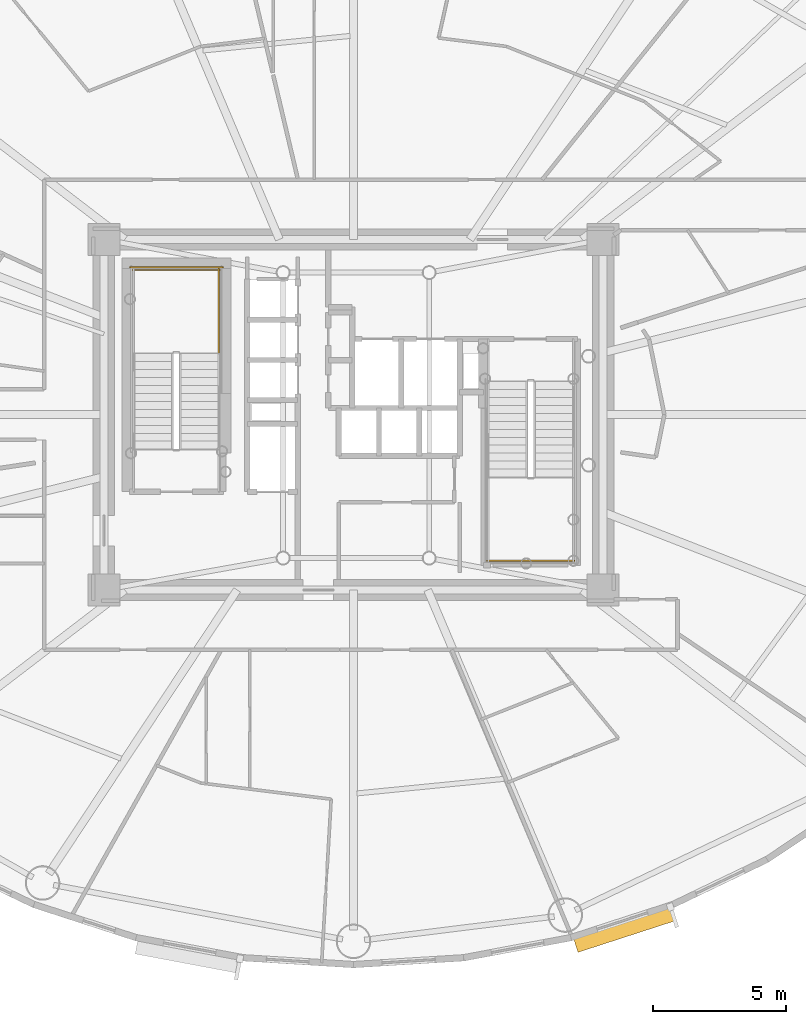
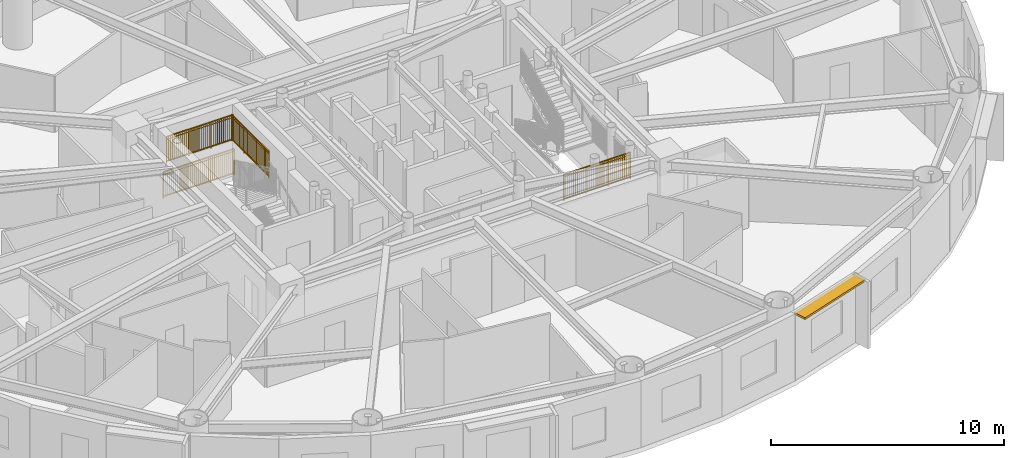
# One storey, part 15 of 18: 4 railings, 1 shading device.
"""IFC4 building model written with IfcOpenShell, lengths in metres."""

from ifc_helpers import new_model, si_unit, direction, frame, origin, origin_2d, place, context, subcontext, project, spatial, rectangle, extrude, source, transform, mapped, material, layer, layer_set, type_object, element, save


model = new_model("IFC4")

# Units and contexts
model_context = context("Model", 3, precision=1e-05, world=origin(), true_north=direction((0.0, 1.0)))
body_context = subcontext(model_context, "Body", "Model", "MODEL_VIEW")
ifc_project = project(units=[si_unit("LENGTHUNIT", "METRE"), si_unit("AREAUNIT", "SQUARE_METRE"), si_unit("VOLUMEUNIT", "CUBIC_METRE"), si_unit("PLANEANGLEUNIT", "RADIAN"), si_unit("MASSUNIT", "GRAM", prefix="KILO")], contexts=[model_context])

# Site, building, storey
site_placement = place(None, origin())
site = spatial("IfcSite", under=ifc_project, at=site_placement, CompositionType="ELEMENT")
building_placement = place(site_placement, origin())
building = spatial("IfcBuilding", under=site, at=building_placement, Name="Linh Dai School and Residence Tower", CompositionType="ELEMENT")
storey_placement = place(building_placement, frame((0.0, 0.0, 159.89990234375)))
storey = spatial("IfcBuildingStorey", under=building, at=storey_placement, Name="L38", CompositionType="ELEMENT", Elevation=159.89990234375)

# Shading device
ifc_material_1 = material(Name="Terracotta Ceramic Sunshade", Category="masonry")
ifc_layer = layer(ifc_material_1, 0.10009765625)
ifc_layer_set = layer_set([ifc_layer], Name="Terracotta Ceramic Sunshade")
shading_device_type = type_object("IfcShadingDeviceType", Name="SHD-TC-650", PredefinedType="USERDEFINED", material=ifc_layer_set)
shared_shape_1 = source(origin(), body_context, "Body", "SweptSolid", [
    extrude(rectangle(XDim=3.876220703125, YDim=0.64990234375, at=origin_2d()), origin(), (0.0, 0.0, 1.0), 0.10009765625),
])
shading_device_placement = place(storey_placement, frame((46.197265625, 7.662353515625, 3.380126953125), z_axis=(0.0, 0.0, 1.0), x_axis=(-0.951212761419, -0.308535707031, 0.0)))
element("IfcShadingDevice", 1, at=shading_device_placement, inside=storey, type_object=shading_device_type, Name="L38 Terracotta Horizontal Sunshade Band 33", ObjectType="SUNSHADE", PredefinedType="USERDEFINED", context=body_context, shape_type="MappedRepresentation", body=[
    mapped(shared_shape_1, transform((0.0, 0.0, 0.0), x_axis=(1.0, 0.0, 0.0), y_axis=(0.0, 1.0, 0.0), z_axis=(0.0, 0.0, 1.0), scale=1.0)),
])

# Railings
ifc_material_2 = material(Name="Structural Steel S355JR", Category="steel")
railing_type = type_object("IfcRailingType", Name="RL-ST-GUARD-1400", PredefinedType="GUARDRAIL", material=ifc_material_2)
shared_shape_2 = source(origin(), body_context, "Body", "SweptSolid", [
    extrude(rectangle(XDim=0.048095703125, YDim=0.048095703125, at=origin_2d()), frame((0.0, 0.0, 1.3759765625), z_axis=(-1.0, 0.0, 0.0), x_axis=(0.0, -1.0, 0.0)), (0.0, 0.0, 1.0), 3.300048828125),
    extrude(rectangle(XDim=0.048095703125, YDim=0.048095703125, at=origin_2d()), frame((0.0, 0.0, 0.10009765625), z_axis=(-1.0, 0.0, 0.0), x_axis=(0.0, -1.0, 0.0)), (0.0, 0.0, 1.0), 3.300048828125),
    extrude(rectangle(XDim=0.030029296875, YDim=0.030029296875, at=origin_2d()), frame((0.0, 0.0, 1.239990234375), z_axis=(-1.0, 0.0, 0.0), x_axis=(0.0, -1.0, 0.0)), (0.0, 0.0, 1.0), 3.300048828125),
    extrude(rectangle(XDim=0.02001953125, YDim=0.02001953125, at=origin_2d()), frame((-0.09716796875, 0.0, 0.10009765625)), (0.0, 0.0, 1.0), 1.251708984375),
    extrude(rectangle(XDim=0.02001953125, YDim=0.02001953125, at=origin_2d()), frame((-0.194091796875, 0.0, 0.10009765625)), (0.0, 0.0, 1.0), 1.251708984375),
    extrude(rectangle(XDim=0.02001953125, YDim=0.02001953125, at=origin_2d()), frame((-0.291259765625, 0.0, 0.10009765625)), (0.0, 0.0, 1.0), 1.251708984375),
    extrude(rectangle(XDim=0.02001953125, YDim=0.02001953125, at=origin_2d()), frame((-0.38818359375, 0.0, 0.10009765625)), (0.0, 0.0, 1.0), 1.251708984375),
    extrude(rectangle(XDim=0.02001953125, YDim=0.02001953125, at=origin_2d()), frame((-0.4853515625, 0.0, 0.10009765625)), (0.0, 0.0, 1.0), 1.251708984375),
    extrude(rectangle(XDim=0.02001953125, YDim=0.02001953125, at=origin_2d()), frame((-0.582275390625, 0.0, 0.10009765625)), (0.0, 0.0, 1.0), 1.251708984375),
    extrude(rectangle(XDim=0.02001953125, YDim=0.02001953125, at=origin_2d()), frame((-0.679443359375, 0.0, 0.10009765625)), (0.0, 0.0, 1.0), 1.251708984375),
    extrude(rectangle(XDim=0.02001953125, YDim=0.02001953125, at=origin_2d()), frame((-0.7763671875, 0.0, 0.10009765625)), (0.0, 0.0, 1.0), 1.251708984375),
    extrude(rectangle(XDim=0.02001953125, YDim=0.02001953125, at=origin_2d()), frame((-0.87353515625, 0.0, 0.10009765625)), (0.0, 0.0, 1.0), 1.251708984375),
    extrude(rectangle(XDim=0.02001953125, YDim=0.02001953125, at=origin_2d()), frame((-0.970703125, 0.0, 0.10009765625)), (0.0, 0.0, 1.0), 1.251708984375),
    extrude(rectangle(XDim=0.02001953125, YDim=0.02001953125, at=origin_2d()), frame((-1.164794921875, 0.0, 0.10009765625)), (0.0, 0.0, 1.0), 1.251708984375),
    extrude(rectangle(XDim=0.02001953125, YDim=0.02001953125, at=origin_2d()), frame((-1.26171875, 0.0, 0.10009765625)), (0.0, 0.0, 1.0), 1.251708984375),
    extrude(rectangle(XDim=0.02001953125, YDim=0.02001953125, at=origin_2d()), frame((-1.35888671875, 0.0, 0.10009765625)), (0.0, 0.0, 1.0), 1.251708984375),
    extrude(rectangle(XDim=0.02001953125, YDim=0.02001953125, at=origin_2d()), frame((-1.455810546875, 0.0, 0.10009765625)), (0.0, 0.0, 1.0), 1.251708984375),
    extrude(rectangle(XDim=0.02001953125, YDim=0.02001953125, at=origin_2d()), frame((-1.552978515625, 0.0, 0.10009765625)), (0.0, 0.0, 1.0), 1.251708984375),
    extrude(rectangle(XDim=0.02001953125, YDim=0.02001953125, at=origin_2d()), frame((-1.64990234375, 0.0, 0.10009765625)), (0.0, 0.0, 1.0), 1.251708984375),
    extrude(rectangle(XDim=0.02001953125, YDim=0.02001953125, at=origin_2d()), frame((-1.7470703125, 0.0, 0.10009765625)), (0.0, 0.0, 1.0), 1.251708984375),
    extrude(rectangle(XDim=0.02001953125, YDim=0.02001953125, at=origin_2d()), frame((-1.84423828125, 0.0, 0.10009765625)), (0.0, 0.0, 1.0), 1.251708984375),
    extrude(rectangle(XDim=0.02001953125, YDim=0.02001953125, at=origin_2d()), frame((-1.941162109375, 0.0, 0.10009765625)), (0.0, 0.0, 1.0), 1.251708984375),
    extrude(rectangle(XDim=0.02001953125, YDim=0.02001953125, at=origin_2d()), frame((-2.038330078125, 0.0, 0.10009765625)), (0.0, 0.0, 1.0), 1.251708984375),
    extrude(rectangle(XDim=0.02001953125, YDim=0.02001953125, at=origin_2d()), frame((-2.13525390625, 0.0, 0.10009765625)), (0.0, 0.0, 1.0), 1.251708984375),
    extrude(rectangle(XDim=0.02001953125, YDim=0.02001953125, at=origin_2d()), frame((-2.329345703125, 0.0, 0.10009765625)), (0.0, 0.0, 1.0), 1.251708984375),
    extrude(rectangle(XDim=0.02001953125, YDim=0.02001953125, at=origin_2d()), frame((-2.426513671875, 0.0, 0.10009765625)), (0.0, 0.0, 1.0), 1.251708984375),
    extrude(rectangle(XDim=0.02001953125, YDim=0.02001953125, at=origin_2d()), frame((-2.523681640625, 0.0, 0.10009765625)), (0.0, 0.0, 1.0), 1.251708984375),
    extrude(rectangle(XDim=0.02001953125, YDim=0.02001953125, at=origin_2d()), frame((-2.62060546875, 0.0, 0.10009765625)), (0.0, 0.0, 1.0), 1.251708984375),
    extrude(rectangle(XDim=0.02001953125, YDim=0.02001953125, at=origin_2d()), frame((-2.7177734375, 0.0, 0.10009765625)), (0.0, 0.0, 1.0), 1.251708984375),
    extrude(rectangle(XDim=0.02001953125, YDim=0.02001953125, at=origin_2d()), frame((-2.814697265625, 0.0, 0.10009765625)), (0.0, 0.0, 1.0), 1.251708984375),
    extrude(rectangle(XDim=0.02001953125, YDim=0.02001953125, at=origin_2d()), frame((-2.911865234375, 0.0, 0.10009765625)), (0.0, 0.0, 1.0), 1.251708984375),
    extrude(rectangle(XDim=0.02001953125, YDim=0.02001953125, at=origin_2d()), frame((-3.0087890625, 0.0, 0.10009765625)), (0.0, 0.0, 1.0), 1.251708984375),
    extrude(rectangle(XDim=0.02001953125, YDim=0.02001953125, at=origin_2d()), frame((-3.10595703125, 0.0, 0.10009765625)), (0.0, 0.0, 1.0), 1.251708984375),
    extrude(rectangle(XDim=0.02001953125, YDim=0.02001953125, at=origin_2d()), frame((-3.202880859375, 0.0, 0.10009765625)), (0.0, 0.0, 1.0), 1.251708984375),
    extrude(rectangle(XDim=0.0419921875, YDim=0.0419921875, at=origin_2d()), origin(), (0.0, 0.0, 1.0), 1.3759765625),
    extrude(rectangle(XDim=0.0419921875, YDim=0.0419921875, at=origin_2d()), frame((-1.10009765625, 0.0, 0.0)), (0.0, 0.0, 1.0), 1.3759765625),
    extrude(rectangle(XDim=0.0419921875, YDim=0.0419921875, at=origin_2d()), frame((-2.199951171875, 0.0, 0.0)), (0.0, 0.0, 1.0), 1.3759765625),
    extrude(rectangle(XDim=0.0419921875, YDim=0.0419921875, at=origin_2d()), frame((-3.300048828125, 0.0, 0.0)), (0.0, 0.0, 1.0), 1.3759765625),
])
railing_1_placement = place(storey_placement, frame((30.97998046875, 32.449951171875, 1.875)))
element("IfcRailing", 2, at=railing_1_placement, inside=storey, type_object=railing_type, Name="L38 ST1 stair guard 5", PredefinedType="GUARDRAIL", context=body_context, shape_type="MappedRepresentation", body=[
    mapped(shared_shape_2, transform((0.0, 0.0, 0.0), x_axis=(1.0, 0.0, 0.0), y_axis=(0.0, 1.0, 0.0), z_axis=(0.0, 0.0, 1.0), scale=1.0)),
])
shared_shape_3 = source(origin(), body_context, "Body", "SweptSolid", [
    extrude(rectangle(XDim=0.048095703125, YDim=0.048095703125, at=origin_2d()), frame((0.0, 0.0, 1.3759765625), z_axis=(-1.0, 0.0, 0.0), x_axis=(0.0, -1.0, 0.0)), (0.0, 0.0, 1.0), 3.5),
    extrude(rectangle(XDim=0.048095703125, YDim=0.048095703125, at=origin_2d()), frame((0.0, 0.0, 0.10009765625), z_axis=(-1.0, 0.0, 0.0), x_axis=(0.0, -1.0, 0.0)), (0.0, 0.0, 1.0), 3.5),
    extrude(rectangle(XDim=0.030029296875, YDim=0.030029296875, at=origin_2d()), frame((0.0, 0.0, 1.239990234375), z_axis=(-1.0, 0.0, 0.0), x_axis=(0.0, -1.0, 0.0)), (0.0, 0.0, 1.0), 3.5),
    extrude(rectangle(XDim=0.02001953125, YDim=0.02001953125, at=origin_2d()), frame((-0.09716796875, 0.0, 0.10009765625)), (0.0, 0.0, 1.0), 1.251708984375),
    extrude(rectangle(XDim=0.02001953125, YDim=0.02001953125, at=origin_2d()), frame((-0.1943359375, 0.0, 0.10009765625)), (0.0, 0.0, 1.0), 1.251708984375),
    extrude(rectangle(XDim=0.02001953125, YDim=0.02001953125, at=origin_2d()), frame((-0.291748046875, 0.0, 0.10009765625)), (0.0, 0.0, 1.0), 1.251708984375),
    extrude(rectangle(XDim=0.02001953125, YDim=0.02001953125, at=origin_2d()), frame((-0.388916015625, 0.0, 0.10009765625)), (0.0, 0.0, 1.0), 1.251708984375),
    extrude(rectangle(XDim=0.02001953125, YDim=0.02001953125, at=origin_2d()), frame((-0.486083984375, 0.0, 0.10009765625)), (0.0, 0.0, 1.0), 1.251708984375),
    extrude(rectangle(XDim=0.02001953125, YDim=0.02001953125, at=origin_2d()), frame((-0.583251953125, 0.0, 0.10009765625)), (0.0, 0.0, 1.0), 1.251708984375),
    extrude(rectangle(XDim=0.02001953125, YDim=0.02001953125, at=origin_2d()), frame((-0.6806640625, 0.0, 0.10009765625)), (0.0, 0.0, 1.0), 1.251708984375),
    extrude(rectangle(XDim=0.02001953125, YDim=0.02001953125, at=origin_2d()), frame((-0.77783203125, 0.0, 0.10009765625)), (0.0, 0.0, 1.0), 1.251708984375),
    extrude(rectangle(XDim=0.02001953125, YDim=0.02001953125, at=origin_2d()), frame((-0.875, 0.0, 0.10009765625)), (0.0, 0.0, 1.0), 1.251708984375),
    extrude(rectangle(XDim=0.02001953125, YDim=0.02001953125, at=origin_2d()), frame((-0.97216796875, 0.0, 0.10009765625)), (0.0, 0.0, 1.0), 1.251708984375),
    extrude(rectangle(XDim=0.02001953125, YDim=0.02001953125, at=origin_2d()), frame((-1.0693359375, 0.0, 0.10009765625)), (0.0, 0.0, 1.0), 1.251708984375),
    extrude(rectangle(XDim=0.02001953125, YDim=0.02001953125, at=origin_2d()), frame((-1.263916015625, 0.0, 0.10009765625)), (0.0, 0.0, 1.0), 1.251708984375),
    extrude(rectangle(XDim=0.02001953125, YDim=0.02001953125, at=origin_2d()), frame((-1.361083984375, 0.0, 0.10009765625)), (0.0, 0.0, 1.0), 1.251708984375),
    extrude(rectangle(XDim=0.02001953125, YDim=0.02001953125, at=origin_2d()), frame((-1.458251953125, 0.0, 0.10009765625)), (0.0, 0.0, 1.0), 1.251708984375),
    extrude(rectangle(XDim=0.02001953125, YDim=0.02001953125, at=origin_2d()), frame((-1.5556640625, 0.0, 0.10009765625)), (0.0, 0.0, 1.0), 1.251708984375),
    extrude(rectangle(XDim=0.02001953125, YDim=0.02001953125, at=origin_2d()), frame((-1.65283203125, 0.0, 0.10009765625)), (0.0, 0.0, 1.0), 1.251708984375),
    extrude(rectangle(XDim=0.02001953125, YDim=0.02001953125, at=origin_2d()), frame((-1.75, 0.0, 0.10009765625)), (0.0, 0.0, 1.0), 1.251708984375),
    extrude(rectangle(XDim=0.02001953125, YDim=0.02001953125, at=origin_2d()), frame((-1.84716796875, 0.0, 0.10009765625)), (0.0, 0.0, 1.0), 1.251708984375),
    extrude(rectangle(XDim=0.02001953125, YDim=0.02001953125, at=origin_2d()), frame((-1.9443359375, 0.0, 0.10009765625)), (0.0, 0.0, 1.0), 1.251708984375),
    extrude(rectangle(XDim=0.02001953125, YDim=0.02001953125, at=origin_2d()), frame((-2.041748046875, 0.0, 0.10009765625)), (0.0, 0.0, 1.0), 1.251708984375),
    extrude(rectangle(XDim=0.02001953125, YDim=0.02001953125, at=origin_2d()), frame((-2.138916015625, 0.0, 0.10009765625)), (0.0, 0.0, 1.0), 1.251708984375),
    extrude(rectangle(XDim=0.02001953125, YDim=0.02001953125, at=origin_2d()), frame((-2.236083984375, 0.0, 0.10009765625)), (0.0, 0.0, 1.0), 1.251708984375),
    extrude(rectangle(XDim=0.02001953125, YDim=0.02001953125, at=origin_2d()), frame((-2.4306640625, 0.0, 0.10009765625)), (0.0, 0.0, 1.0), 1.251708984375),
    extrude(rectangle(XDim=0.02001953125, YDim=0.02001953125, at=origin_2d()), frame((-2.52783203125, 0.0, 0.10009765625)), (0.0, 0.0, 1.0), 1.251708984375),
    extrude(rectangle(XDim=0.02001953125, YDim=0.02001953125, at=origin_2d()), frame((-2.625, 0.0, 0.10009765625)), (0.0, 0.0, 1.0), 1.251708984375),
    extrude(rectangle(XDim=0.02001953125, YDim=0.02001953125, at=origin_2d()), frame((-2.72216796875, 0.0, 0.10009765625)), (0.0, 0.0, 1.0), 1.251708984375),
    extrude(rectangle(XDim=0.02001953125, YDim=0.02001953125, at=origin_2d()), frame((-2.8193359375, 0.0, 0.10009765625)), (0.0, 0.0, 1.0), 1.251708984375),
    extrude(rectangle(XDim=0.02001953125, YDim=0.02001953125, at=origin_2d()), frame((-2.916748046875, 0.0, 0.10009765625)), (0.0, 0.0, 1.0), 1.251708984375),
    extrude(rectangle(XDim=0.02001953125, YDim=0.02001953125, at=origin_2d()), frame((-3.013916015625, 0.0, 0.10009765625)), (0.0, 0.0, 1.0), 1.251708984375),
    extrude(rectangle(XDim=0.02001953125, YDim=0.02001953125, at=origin_2d()), frame((-3.111083984375, 0.0, 0.10009765625)), (0.0, 0.0, 1.0), 1.251708984375),
    extrude(rectangle(XDim=0.02001953125, YDim=0.02001953125, at=origin_2d()), frame((-3.208251953125, 0.0, 0.10009765625)), (0.0, 0.0, 1.0), 1.251708984375),
    extrude(rectangle(XDim=0.02001953125, YDim=0.02001953125, at=origin_2d()), frame((-3.3056640625, 0.0, 0.10009765625)), (0.0, 0.0, 1.0), 1.251708984375),
    extrude(rectangle(XDim=0.02001953125, YDim=0.02001953125, at=origin_2d()), frame((-3.40283203125, 0.0, 0.10009765625)), (0.0, 0.0, 1.0), 1.251708984375),
    extrude(rectangle(XDim=0.0419921875, YDim=0.0419921875, at=origin_2d()), origin(), (0.0, 0.0, 1.0), 1.3759765625),
    extrude(rectangle(XDim=0.0419921875, YDim=0.0419921875, at=origin_2d()), frame((-1.166748046875, 0.0, 0.0)), (0.0, 0.0, 1.0), 1.3759765625),
    extrude(rectangle(XDim=0.0419921875, YDim=0.0419921875, at=origin_2d()), frame((-2.333251953125, 0.0, 0.0)), (0.0, 0.0, 1.0), 1.3759765625),
    extrude(rectangle(XDim=0.0419921875, YDim=0.0419921875, at=origin_2d()), frame((-3.5, 0.0, 0.0)), (0.0, 0.0, 1.0), 1.3759765625),
])
railing_2_placement = place(storey_placement, frame((31.080078125, 32.550048828125, 0.0)))
element("IfcRailing", 3, at=railing_2_placement, inside=storey, type_object=railing_type, Name="L38 ST1 stair guard 12", PredefinedType="GUARDRAIL", context=body_context, shape_type="MappedRepresentation", body=[
    mapped(shared_shape_3, transform((0.0, 0.0, 0.0), x_axis=(1.0, 0.0, 0.0), y_axis=(0.0, 1.0, 0.0), z_axis=(0.0, 0.0, 1.0), scale=1.0)),
])
shared_shape_4 = source(origin(), body_context, "Body", "SweptSolid", [
    extrude(rectangle(XDim=0.048095703125, YDim=0.048095703125, at=origin_2d()), frame((0.0, 0.0, 1.3759765625), z_axis=(0.0, 1.0, 0.0), x_axis=(-1.0, 0.0, 0.0)), (0.0, 0.0, 1.0), 3.199951171875),
    extrude(rectangle(XDim=0.048095703125, YDim=0.048095703125, at=origin_2d()), frame((0.0, 0.0, 0.10009765625), z_axis=(0.0, 1.0, 0.0), x_axis=(-1.0, 0.0, 0.0)), (0.0, 0.0, 1.0), 3.199951171875),
    extrude(rectangle(XDim=0.030029296875, YDim=0.030029296875, at=origin_2d()), frame((0.0, 0.0, 1.239990234375), z_axis=(0.0, 1.0, 0.0), x_axis=(-1.0, 0.0, 0.0)), (0.0, 0.0, 1.0), 3.199951171875),
    extrude(rectangle(XDim=0.02001953125, YDim=0.02001953125, at=origin_2d()), frame((0.0, 0.096923828125, 0.10009765625)), (0.0, 0.0, 1.0), 1.251708984375),
    extrude(rectangle(XDim=0.02001953125, YDim=0.02001953125, at=origin_2d()), frame((0.0, 0.19384765625, 0.10009765625)), (0.0, 0.0, 1.0), 1.251708984375),
    extrude(rectangle(XDim=0.02001953125, YDim=0.02001953125, at=origin_2d()), frame((0.0, 0.291015625, 0.10009765625)), (0.0, 0.0, 1.0), 1.251708984375),
    extrude(rectangle(XDim=0.02001953125, YDim=0.02001953125, at=origin_2d()), frame((0.0, 0.387939453125, 0.10009765625)), (0.0, 0.0, 1.0), 1.251708984375),
    extrude(rectangle(XDim=0.02001953125, YDim=0.02001953125, at=origin_2d()), frame((0.0, 0.48486328125, 0.10009765625)), (0.0, 0.0, 1.0), 1.251708984375),
    extrude(rectangle(XDim=0.02001953125, YDim=0.02001953125, at=origin_2d()), frame((0.0, 0.581787109375, 0.10009765625)), (0.0, 0.0, 1.0), 1.251708984375),
    extrude(rectangle(XDim=0.02001953125, YDim=0.02001953125, at=origin_2d()), frame((0.0, 0.6787109375, 0.10009765625)), (0.0, 0.0, 1.0), 1.251708984375),
    extrude(rectangle(XDim=0.02001953125, YDim=0.02001953125, at=origin_2d()), frame((0.0, 0.775634765625, 0.10009765625)), (0.0, 0.0, 1.0), 1.251708984375),
    extrude(rectangle(XDim=0.02001953125, YDim=0.02001953125, at=origin_2d()), frame((0.0, 0.872802734375, 0.10009765625)), (0.0, 0.0, 1.0), 1.251708984375),
    extrude(rectangle(XDim=0.02001953125, YDim=0.02001953125, at=origin_2d()), frame((0.0, 0.9697265625, 0.10009765625)), (0.0, 0.0, 1.0), 1.251708984375),
    extrude(rectangle(XDim=0.02001953125, YDim=0.02001953125, at=origin_2d()), frame((0.0, 1.16357421875, 0.10009765625)), (0.0, 0.0, 1.0), 1.251708984375),
    extrude(rectangle(XDim=0.02001953125, YDim=0.02001953125, at=origin_2d()), frame((0.0, 1.260498046875, 0.10009765625)), (0.0, 0.0, 1.0), 1.251708984375),
    extrude(rectangle(XDim=0.02001953125, YDim=0.02001953125, at=origin_2d()), frame((0.0, 1.357666015625, 0.10009765625)), (0.0, 0.0, 1.0), 1.251708984375),
    extrude(rectangle(XDim=0.02001953125, YDim=0.02001953125, at=origin_2d()), frame((0.0, 1.45458984375, 0.10009765625)), (0.0, 0.0, 1.0), 1.251708984375),
    extrude(rectangle(XDim=0.02001953125, YDim=0.02001953125, at=origin_2d()), frame((0.0, 1.551513671875, 0.10009765625)), (0.0, 0.0, 1.0), 1.251708984375),
    extrude(rectangle(XDim=0.02001953125, YDim=0.02001953125, at=origin_2d()), frame((0.0, 1.6484375, 0.10009765625)), (0.0, 0.0, 1.0), 1.251708984375),
    extrude(rectangle(XDim=0.02001953125, YDim=0.02001953125, at=origin_2d()), frame((0.0, 1.745361328125, 0.10009765625)), (0.0, 0.0, 1.0), 1.251708984375),
    extrude(rectangle(XDim=0.02001953125, YDim=0.02001953125, at=origin_2d()), frame((0.0, 1.84228515625, 0.10009765625)), (0.0, 0.0, 1.0), 1.251708984375),
    extrude(rectangle(XDim=0.02001953125, YDim=0.02001953125, at=origin_2d()), frame((0.0, 1.939453125, 0.10009765625)), (0.0, 0.0, 1.0), 1.251708984375),
    extrude(rectangle(XDim=0.02001953125, YDim=0.02001953125, at=origin_2d()), frame((0.0, 2.036376953125, 0.10009765625)), (0.0, 0.0, 1.0), 1.251708984375),
    extrude(rectangle(XDim=0.02001953125, YDim=0.02001953125, at=origin_2d()), frame((0.0, 2.230224609375, 0.10009765625)), (0.0, 0.0, 1.0), 1.251708984375),
    extrude(rectangle(XDim=0.02001953125, YDim=0.02001953125, at=origin_2d()), frame((0.0, 2.3271484375, 0.10009765625)), (0.0, 0.0, 1.0), 1.251708984375),
    extrude(rectangle(XDim=0.02001953125, YDim=0.02001953125, at=origin_2d()), frame((0.0, 2.42431640625, 0.10009765625)), (0.0, 0.0, 1.0), 1.251708984375),
    extrude(rectangle(XDim=0.02001953125, YDim=0.02001953125, at=origin_2d()), frame((0.0, 2.521240234375, 0.10009765625)), (0.0, 0.0, 1.0), 1.251708984375),
    extrude(rectangle(XDim=0.02001953125, YDim=0.02001953125, at=origin_2d()), frame((0.0, 2.6181640625, 0.10009765625)), (0.0, 0.0, 1.0), 1.251708984375),
    extrude(rectangle(XDim=0.02001953125, YDim=0.02001953125, at=origin_2d()), frame((0.0, 2.715087890625, 0.10009765625)), (0.0, 0.0, 1.0), 1.251708984375),
    extrude(rectangle(XDim=0.02001953125, YDim=0.02001953125, at=origin_2d()), frame((0.0, 2.81201171875, 0.10009765625)), (0.0, 0.0, 1.0), 1.251708984375),
    extrude(rectangle(XDim=0.02001953125, YDim=0.02001953125, at=origin_2d()), frame((0.0, 2.908935546875, 0.10009765625)), (0.0, 0.0, 1.0), 1.251708984375),
    extrude(rectangle(XDim=0.02001953125, YDim=0.02001953125, at=origin_2d()), frame((0.0, 3.006103515625, 0.10009765625)), (0.0, 0.0, 1.0), 1.251708984375),
    extrude(rectangle(XDim=0.02001953125, YDim=0.02001953125, at=origin_2d()), frame((0.0, 3.10302734375, 0.10009765625)), (0.0, 0.0, 1.0), 1.251708984375),
    extrude(rectangle(XDim=0.0419921875, YDim=0.0419921875, at=origin_2d()), origin(), (0.0, 0.0, 1.0), 1.3759765625),
    extrude(rectangle(XDim=0.0419921875, YDim=0.0419921875, at=origin_2d()), frame((0.0, 1.066650390625, 0.0)), (0.0, 0.0, 1.0), 1.3759765625),
    extrude(rectangle(XDim=0.0419921875, YDim=0.0419921875, at=origin_2d()), frame((0.0, 2.13330078125, 0.0)), (0.0, 0.0, 1.0), 1.3759765625),
    extrude(rectangle(XDim=0.0419921875, YDim=0.0419921875, at=origin_2d()), frame((0.0, 3.199951171875, 0.0)), (0.0, 0.0, 1.0), 1.3759765625),
])
railing_3_placement = place(storey_placement, frame((30.929931640625, 29.300048828125, 1.875)))
element("IfcRailing", 4, at=railing_3_placement, inside=storey, type_object=railing_type, Name="L38 ST1 stair guard 3", PredefinedType="GUARDRAIL", context=body_context, shape_type="MappedRepresentation", body=[
    mapped(shared_shape_4, transform((0.0, 0.0, 0.0), x_axis=(1.0, 0.0, 0.0), y_axis=(0.0, 1.0, 0.0), z_axis=(0.0, 0.0, 1.0), scale=1.0)),
])
shared_shape_5 = source(origin(), body_context, "Body", "SweptSolid", [
    extrude(rectangle(XDim=0.048095703125, YDim=0.048095703125, at=origin_2d()), frame((0.0, 0.0, 1.3759765625), z_axis=(1.0, 0.0, 0.0), x_axis=(0.0, 1.0, 0.0)), (0.0, 0.0, 1.0), 3.300048828125),
    extrude(rectangle(XDim=0.048095703125, YDim=0.048095703125, at=origin_2d()), frame((0.0, 0.0, 0.10009765625), z_axis=(1.0, 0.0, 0.0), x_axis=(0.0, 1.0, 0.0)), (0.0, 0.0, 1.0), 3.300048828125),
    extrude(rectangle(XDim=0.030029296875, YDim=0.030029296875, at=origin_2d()), frame((0.0, 0.0, 1.239990234375), z_axis=(1.0, 0.0, 0.0), x_axis=(0.0, 1.0, 0.0)), (0.0, 0.0, 1.0), 3.300048828125),
    extrude(rectangle(XDim=0.02001953125, YDim=0.02001953125, at=origin_2d()), frame((0.09716796875, 0.0, 0.10009765625)), (0.0, 0.0, 1.0), 1.251708984375),
    extrude(rectangle(XDim=0.02001953125, YDim=0.02001953125, at=origin_2d()), frame((0.194091796875, 0.0, 0.10009765625)), (0.0, 0.0, 1.0), 1.251708984375),
    extrude(rectangle(XDim=0.02001953125, YDim=0.02001953125, at=origin_2d()), frame((0.291259765625, 0.0, 0.10009765625)), (0.0, 0.0, 1.0), 1.251708984375),
    extrude(rectangle(XDim=0.02001953125, YDim=0.02001953125, at=origin_2d()), frame((0.38818359375, 0.0, 0.10009765625)), (0.0, 0.0, 1.0), 1.251708984375),
    extrude(rectangle(XDim=0.02001953125, YDim=0.02001953125, at=origin_2d()), frame((0.4853515625, 0.0, 0.10009765625)), (0.0, 0.0, 1.0), 1.251708984375),
    extrude(rectangle(XDim=0.02001953125, YDim=0.02001953125, at=origin_2d()), frame((0.582275390625, 0.0, 0.10009765625)), (0.0, 0.0, 1.0), 1.251708984375),
    extrude(rectangle(XDim=0.02001953125, YDim=0.02001953125, at=origin_2d()), frame((0.679443359375, 0.0, 0.10009765625)), (0.0, 0.0, 1.0), 1.251708984375),
    extrude(rectangle(XDim=0.02001953125, YDim=0.02001953125, at=origin_2d()), frame((0.7763671875, 0.0, 0.10009765625)), (0.0, 0.0, 1.0), 1.251708984375),
    extrude(rectangle(XDim=0.02001953125, YDim=0.02001953125, at=origin_2d()), frame((0.87353515625, 0.0, 0.10009765625)), (0.0, 0.0, 1.0), 1.251708984375),
    extrude(rectangle(XDim=0.02001953125, YDim=0.02001953125, at=origin_2d()), frame((0.970703125, 0.0, 0.10009765625)), (0.0, 0.0, 1.0), 1.251708984375),
    extrude(rectangle(XDim=0.02001953125, YDim=0.02001953125, at=origin_2d()), frame((1.164794921875, 0.0, 0.10009765625)), (0.0, 0.0, 1.0), 1.251708984375),
    extrude(rectangle(XDim=0.02001953125, YDim=0.02001953125, at=origin_2d()), frame((1.26171875, 0.0, 0.10009765625)), (0.0, 0.0, 1.0), 1.251708984375),
    extrude(rectangle(XDim=0.02001953125, YDim=0.02001953125, at=origin_2d()), frame((1.35888671875, 0.0, 0.10009765625)), (0.0, 0.0, 1.0), 1.251708984375),
    extrude(rectangle(XDim=0.02001953125, YDim=0.02001953125, at=origin_2d()), frame((1.455810546875, 0.0, 0.10009765625)), (0.0, 0.0, 1.0), 1.251708984375),
    extrude(rectangle(XDim=0.02001953125, YDim=0.02001953125, at=origin_2d()), frame((1.552978515625, 0.0, 0.10009765625)), (0.0, 0.0, 1.0), 1.251708984375),
    extrude(rectangle(XDim=0.02001953125, YDim=0.02001953125, at=origin_2d()), frame((1.64990234375, 0.0, 0.10009765625)), (0.0, 0.0, 1.0), 1.251708984375),
    extrude(rectangle(XDim=0.02001953125, YDim=0.02001953125, at=origin_2d()), frame((1.7470703125, 0.0, 0.10009765625)), (0.0, 0.0, 1.0), 1.251708984375),
    extrude(rectangle(XDim=0.02001953125, YDim=0.02001953125, at=origin_2d()), frame((1.84423828125, 0.0, 0.10009765625)), (0.0, 0.0, 1.0), 1.251708984375),
    extrude(rectangle(XDim=0.02001953125, YDim=0.02001953125, at=origin_2d()), frame((1.941162109375, 0.0, 0.10009765625)), (0.0, 0.0, 1.0), 1.251708984375),
    extrude(rectangle(XDim=0.02001953125, YDim=0.02001953125, at=origin_2d()), frame((2.038330078125, 0.0, 0.10009765625)), (0.0, 0.0, 1.0), 1.251708984375),
    extrude(rectangle(XDim=0.02001953125, YDim=0.02001953125, at=origin_2d()), frame((2.13525390625, 0.0, 0.10009765625)), (0.0, 0.0, 1.0), 1.251708984375),
    extrude(rectangle(XDim=0.02001953125, YDim=0.02001953125, at=origin_2d()), frame((2.329345703125, 0.0, 0.10009765625)), (0.0, 0.0, 1.0), 1.251708984375),
    extrude(rectangle(XDim=0.02001953125, YDim=0.02001953125, at=origin_2d()), frame((2.426513671875, 0.0, 0.10009765625)), (0.0, 0.0, 1.0), 1.251708984375),
    extrude(rectangle(XDim=0.02001953125, YDim=0.02001953125, at=origin_2d()), frame((2.523681640625, 0.0, 0.10009765625)), (0.0, 0.0, 1.0), 1.251708984375),
    extrude(rectangle(XDim=0.02001953125, YDim=0.02001953125, at=origin_2d()), frame((2.62060546875, 0.0, 0.10009765625)), (0.0, 0.0, 1.0), 1.251708984375),
    extrude(rectangle(XDim=0.02001953125, YDim=0.02001953125, at=origin_2d()), frame((2.7177734375, 0.0, 0.10009765625)), (0.0, 0.0, 1.0), 1.251708984375),
    extrude(rectangle(XDim=0.02001953125, YDim=0.02001953125, at=origin_2d()), frame((2.814697265625, 0.0, 0.10009765625)), (0.0, 0.0, 1.0), 1.251708984375),
    extrude(rectangle(XDim=0.02001953125, YDim=0.02001953125, at=origin_2d()), frame((2.911865234375, 0.0, 0.10009765625)), (0.0, 0.0, 1.0), 1.251708984375),
    extrude(rectangle(XDim=0.02001953125, YDim=0.02001953125, at=origin_2d()), frame((3.0087890625, 0.0, 0.10009765625)), (0.0, 0.0, 1.0), 1.251708984375),
    extrude(rectangle(XDim=0.02001953125, YDim=0.02001953125, at=origin_2d()), frame((3.10595703125, 0.0, 0.10009765625)), (0.0, 0.0, 1.0), 1.251708984375),
    extrude(rectangle(XDim=0.02001953125, YDim=0.02001953125, at=origin_2d()), frame((3.202880859375, 0.0, 0.10009765625)), (0.0, 0.0, 1.0), 1.251708984375),
    extrude(rectangle(XDim=0.0419921875, YDim=0.0419921875, at=origin_2d()), origin(), (0.0, 0.0, 1.0), 1.3759765625),
    extrude(rectangle(XDim=0.0419921875, YDim=0.0419921875, at=origin_2d()), frame((1.10009765625, 0.0, 0.0)), (0.0, 0.0, 1.0), 1.3759765625),
    extrude(rectangle(XDim=0.0419921875, YDim=0.0419921875, at=origin_2d()), frame((2.199951171875, 0.0, 0.0)), (0.0, 0.0, 1.0), 1.3759765625),
    extrude(rectangle(XDim=0.0419921875, YDim=0.0419921875, at=origin_2d()), frame((3.300048828125, 0.0, 0.0)), (0.0, 0.0, 1.0), 1.3759765625),
])
railing_4_placement = place(storey_placement, frame((41.02001953125, 21.5, 1.875)))
element("IfcRailing", 5, at=railing_4_placement, inside=storey, type_object=railing_type, Name="L38 ST2 stair guard 5", PredefinedType="GUARDRAIL", context=body_context, shape_type="MappedRepresentation", body=[
    mapped(shared_shape_5, transform((0.0, 0.0, 0.0), x_axis=(1.0, 0.0, 0.0), y_axis=(0.0, 1.0, 0.0), z_axis=(0.0, 0.0, 1.0), scale=1.0)),
])

save(model, "model.ifc")
